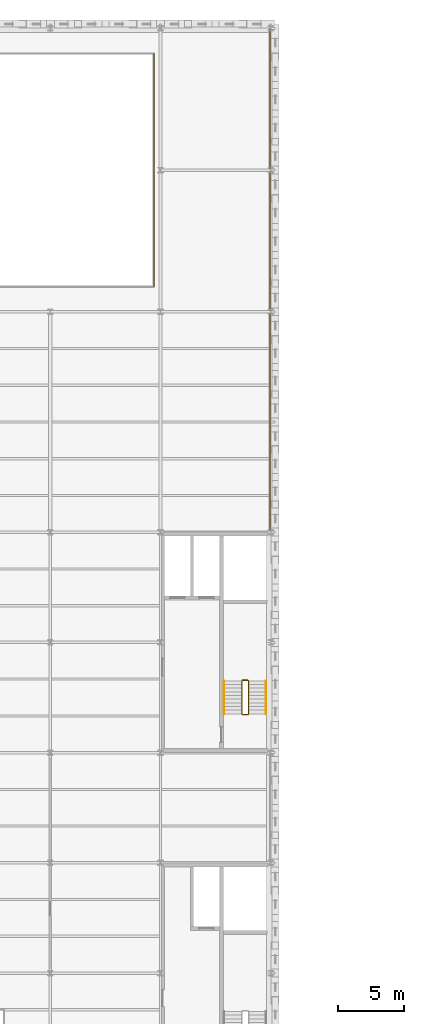
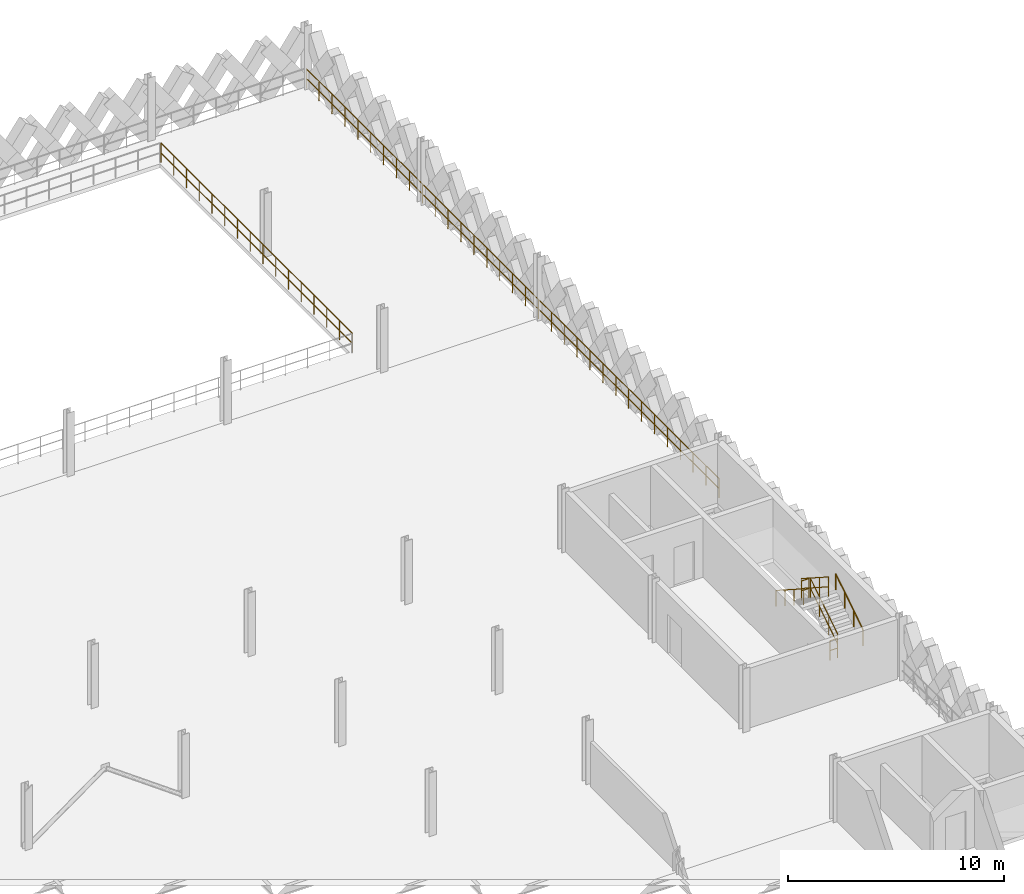
# One storey, part 77 of 79: 8 railings.
"""IFC4 building model written with IfcOpenShell, lengths in metres."""

from ifc_helpers import new_model, si_unit, direction, frame, origin, origin_2d, place, context, subcontext, project, spatial, circle, extrude, material, type_object, element, save


model = new_model("IFC4")

# Units and contexts
model_context = context("Model", 3, precision=1e-05, world=origin(), true_north=direction((0.0, 1.0)))
body_context = subcontext(model_context, "Body", "Model", "MODEL_VIEW")
ifc_project = project(units=[si_unit("LENGTHUNIT", "METRE"), si_unit("AREAUNIT", "SQUARE_METRE"), si_unit("VOLUMEUNIT", "CUBIC_METRE"), si_unit("PLANEANGLEUNIT", "RADIAN"), si_unit("MASSUNIT", "GRAM", prefix="KILO"), si_unit("THERMODYNAMICTEMPERATUREUNIT", "KELVIN"), si_unit("POWERUNIT", "WATT")], contexts=[model_context])

# Site, building, storey
site_placement = place(None, origin())
site = spatial("IfcSite", under=ifc_project, at=site_placement, CompositionType="ELEMENT")
building_placement = place(site_placement, origin())
building = spatial("IfcBuilding", under=site, at=building_placement, Name="Tembeka Court Mobility Hub", CompositionType="ELEMENT")
storey_placement = place(building_placement, frame((0.0, 0.0, 9.0)))
storey = spatial("IfcBuildingStorey", under=building, at=storey_placement, Name="L02", CompositionType="ELEMENT", Elevation=9.0)

# Railings
ifc_material_1 = material(Name="Painted galvanised steel balustrade", Category="steel")
railing_type_1 = type_object("IfcRailingType", Name="RL-GR01", PredefinedType="GUARDRAIL", material=ifc_material_1)
railing_1_placement = place(storey_placement, frame((83.5, 99.1298828125, 0.0)))
element("IfcRailing", 1, at=railing_1_placement, inside=storey, type_object=railing_type_1, Name="Perimeter guard GR01-0088", PredefinedType="GUARDRAIL", context=body_context, shape_type="SweptSolid", body=[
    extrude(circle(Radius=0.02392578125, at=origin_2d()), frame((0.0, 0.0, 1.09619140625), z_axis=(0.0, 1.0, 0.0), x_axis=(-1.0, 0.0, 0.0)), (0.0, 0.0, 1.0), 17.740234375),
    extrude(circle(Radius=0.02392578125, at=origin_2d()), frame((0.0, 0.0, 0.5361328125), z_axis=(0.0, 1.0, 0.0), x_axis=(-1.0, 0.0, 0.0)), (0.0, 0.0, 1.0), 17.740234375),
    extrude(circle(Radius=0.02099609375, at=origin_2d()), origin(), (0.0, 0.0, 1.0), 1.072021484375),
    extrude(circle(Radius=0.02099609375, at=origin_2d()), frame((0.0, 1.1826171875, 0.0)), (0.0, 0.0, 1.0), 1.072021484375),
    extrude(circle(Radius=0.02099609375, at=origin_2d()), frame((0.0, 2.365478515625, 0.0)), (0.0, 0.0, 1.0), 1.072021484375),
    extrude(circle(Radius=0.02099609375, at=origin_2d()), frame((0.0, 3.548095703125, 0.0)), (0.0, 0.0, 1.0), 1.072021484375),
    extrude(circle(Radius=0.02099609375, at=origin_2d()), frame((0.0, 4.730712890625, 0.0)), (0.0, 0.0, 1.0), 1.072021484375),
    extrude(circle(Radius=0.02099609375, at=origin_2d()), frame((0.0, 5.913330078125, 0.0)), (0.0, 0.0, 1.0), 1.072021484375),
    extrude(circle(Radius=0.02099609375, at=origin_2d()), frame((0.0, 7.09619140625, 0.0)), (0.0, 0.0, 1.0), 1.072021484375),
    extrude(circle(Radius=0.02099609375, at=origin_2d()), frame((0.0, 8.27880859375, 0.0)), (0.0, 0.0, 1.0), 1.072021484375),
    extrude(circle(Radius=0.02099609375, at=origin_2d()), frame((0.0, 9.46142578125, 0.0)), (0.0, 0.0, 1.0), 1.072021484375),
    extrude(circle(Radius=0.02099609375, at=origin_2d()), frame((0.0, 10.64404296875, 0.0)), (0.0, 0.0, 1.0), 1.072021484375),
    extrude(circle(Radius=0.02099609375, at=origin_2d()), frame((0.0, 11.826904296875, 0.0)), (0.0, 0.0, 1.0), 1.072021484375),
    extrude(circle(Radius=0.02099609375, at=origin_2d()), frame((0.0, 13.009521484375, 0.0)), (0.0, 0.0, 1.0), 1.072021484375),
    extrude(circle(Radius=0.02099609375, at=origin_2d()), frame((0.0, 14.192138671875, 0.0)), (0.0, 0.0, 1.0), 1.072021484375),
    extrude(circle(Radius=0.02099609375, at=origin_2d()), frame((0.0, 15.374755859375, 0.0)), (0.0, 0.0, 1.0), 1.072021484375),
    extrude(circle(Radius=0.02099609375, at=origin_2d()), frame((0.0, 16.5576171875, 0.0)), (0.0, 0.0, 1.0), 1.072021484375),
    extrude(circle(Radius=0.02099609375, at=origin_2d()), frame((0.0, 17.740234375, 0.0)), (0.0, 0.0, 1.0), 1.072021484375),
])
railing_2_placement = place(storey_placement, frame((90.699951171875, 66.550048828125, 0.179931640625)))
element("IfcRailing", 2, at=railing_2_placement, inside=storey, type_object=railing_type_1, Name="L02 ST02 stair guard 1-1", PredefinedType="GUARDRAIL", context=body_context, shape_type="SweptSolid", body=[
    extrude(circle(Radius=0.02392578125, at=origin_2d()), frame((0.0, 0.0, 1.09619140625), z_axis=(0.0, 0.841162588446, 0.540782303519), x_axis=(-1.0, 0.0, 0.0)), (0.0, 0.0, 1.0), 2.995849609375),
    extrude(circle(Radius=0.02392578125, at=origin_2d()), frame((0.0, 0.0, 0.5361328125), z_axis=(0.0, 0.841162588446, 0.540782303519), x_axis=(-1.0, 0.0, 0.0)), (0.0, 0.0, 1.0), 2.995849609375),
    extrude(circle(Radius=0.02099609375, at=origin_2d()), origin(), (0.0, 0.0, 1.0), 1.072021484375),
    extrude(circle(Radius=0.02099609375, at=origin_2d()), frame((0.0, 0.840087890625, 0.5400390625)), (0.0, 0.0, 1.0), 1.072021484375),
    extrude(circle(Radius=0.02099609375, at=origin_2d()), frame((0.0, 1.679931640625, 1.080078125)), (0.0, 0.0, 1.0), 1.072021484375),
    extrude(circle(Radius=0.02099609375, at=origin_2d()), frame((0.0, 2.52001953125, 1.6201171875)), (0.0, 0.0, 1.0), 1.072021484375),
])
railing_3_placement = place(storey_placement, frame((90.64990234375, 69.1201171875, 1.800048828125)))
element("IfcRailing", 3, at=railing_3_placement, inside=storey, type_object=railing_type_1, Name="L02 ST02 stair guard 2-1", PredefinedType="GUARDRAIL", context=body_context, shape_type="SweptSolid", body=[
    extrude(circle(Radius=0.02392578125, at=origin_2d()), frame((0.0, 0.0, 1.09619140625), z_axis=(-1.0, 0.0, 0.0), x_axis=(0.0, -1.0, 0.0)), (0.0, 0.0, 1.0), 0.39990234375),
    extrude(circle(Radius=0.02392578125, at=origin_2d()), frame((0.0, 0.0, 0.5361328125), z_axis=(-1.0, 0.0, 0.0), x_axis=(0.0, -1.0, 0.0)), (0.0, 0.0, 1.0), 0.39990234375),
    extrude(circle(Radius=0.02099609375, at=origin_2d()), origin(), (0.0, 0.0, 1.0), 1.072021484375),
    extrude(circle(Radius=0.02099609375, at=origin_2d()), frame((-0.39990234375, 0.0, 0.0)), (0.0, 0.0, 1.0), 1.072021484375),
])
railing_4_placement = place(storey_placement, frame((90.199951171875, 69.070068359375, 1.97998046875)))
element("IfcRailing", 4, at=railing_4_placement, inside=storey, type_object=railing_type_1, Name="L02 ST02 stair guard 3-1", PredefinedType="GUARDRAIL", context=body_context, shape_type="SweptSolid", body=[
    extrude(circle(Radius=0.02392578125, at=origin_2d()), frame((0.0, 0.0, 1.09619140625), z_axis=(0.0, -0.841162588446, 0.540782303519), x_axis=(1.0, 0.0, 0.0)), (0.0, 0.0, 1.0), 2.995849609375),
    extrude(circle(Radius=0.02392578125, at=origin_2d()), frame((0.0, 0.0, 0.5361328125), z_axis=(0.0, -0.841162588446, 0.540782303519), x_axis=(1.0, 0.0, 0.0)), (0.0, 0.0, 1.0), 2.995849609375),
    extrude(circle(Radius=0.02099609375, at=origin_2d()), origin(), (0.0, 0.0, 1.0), 1.072021484375),
    extrude(circle(Radius=0.02099609375, at=origin_2d()), frame((0.0, -0.840087890625, 0.5400390625)), (0.0, 0.0, 1.0), 1.072021484375),
    extrude(circle(Radius=0.02099609375, at=origin_2d()), frame((0.0, -1.679931640625, 1.080078125)), (0.0, 0.0, 1.0), 1.072021484375),
    extrude(circle(Radius=0.02099609375, at=origin_2d()), frame((0.0, -2.52001953125, 1.6201171875)), (0.0, 0.0, 1.0), 1.072021484375),
])
railing_5_placement = place(storey_placement, frame((90.64990234375, 66.5, 0.0)))
element("IfcRailing", 5, at=railing_5_placement, inside=storey, type_object=railing_type_1, Name="L02 ST02 stair guard 4-1", PredefinedType="GUARDRAIL", context=body_context, shape_type="SweptSolid", body=[
    extrude(circle(Radius=0.02392578125, at=origin_2d()), frame((0.0, 0.0, 1.09619140625), z_axis=(-1.0, 0.0, 0.0), x_axis=(0.0, -1.0, 0.0)), (0.0, 0.0, 1.0), 0.39990234375),
    extrude(circle(Radius=0.02392578125, at=origin_2d()), frame((0.0, 0.0, 0.5361328125), z_axis=(-1.0, 0.0, 0.0), x_axis=(0.0, -1.0, 0.0)), (0.0, 0.0, 1.0), 0.39990234375),
    extrude(circle(Radius=0.02099609375, at=origin_2d()), origin(), (0.0, 0.0, 1.0), 1.072021484375),
    extrude(circle(Radius=0.02099609375, at=origin_2d()), frame((-0.39990234375, 0.0, 0.0)), (0.0, 0.0, 1.0), 1.072021484375),
])
railing_type_2 = type_object("IfcRailingType", Name="RL-GR02", PredefinedType="GUARDRAIL", material=ifc_material_1)
railing_6_placement = place(storey_placement, frame((92.35009765625, 80.429931640625, 0.0)))
element("IfcRailing", 6, at=railing_6_placement, inside=storey, type_object=railing_type_2, Name="Perimeter guard GR02-0098", PredefinedType="GUARDRAIL", context=body_context, shape_type="SweptSolid", body=[
    extrude(circle(Radius=0.02392578125, at=origin_2d()), frame((0.0, 0.0, 1.09619140625), z_axis=(0.0, 1.0, 0.0), x_axis=(-1.0, 0.0, 0.0)), (0.0, 0.0, 1.0), 38.2900390625),
    extrude(circle(Radius=0.02392578125, at=origin_2d()), frame((0.0, 0.0, 0.5361328125), z_axis=(0.0, 1.0, 0.0), x_axis=(-1.0, 0.0, 0.0)), (0.0, 0.0, 1.0), 38.2900390625),
    extrude(circle(Radius=0.02099609375, at=origin_2d()), origin(), (0.0, 0.0, 1.0), 1.072021484375),
    extrude(circle(Radius=0.02099609375, at=origin_2d()), frame((0.0, 1.196533203125, 0.0)), (0.0, 0.0, 1.0), 1.072021484375),
    extrude(circle(Radius=0.02099609375, at=origin_2d()), frame((0.0, 2.39306640625, 0.0)), (0.0, 0.0, 1.0), 1.072021484375),
    extrude(circle(Radius=0.02099609375, at=origin_2d()), frame((0.0, 3.589599609375, 0.0)), (0.0, 0.0, 1.0), 1.072021484375),
    extrude(circle(Radius=0.02099609375, at=origin_2d()), frame((0.0, 4.7861328125, 0.0)), (0.0, 0.0, 1.0), 1.072021484375),
    extrude(circle(Radius=0.02099609375, at=origin_2d()), frame((0.0, 5.98291015625, 0.0)), (0.0, 0.0, 1.0), 1.072021484375),
    extrude(circle(Radius=0.02099609375, at=origin_2d()), frame((0.0, 7.179443359375, 0.0)), (0.0, 0.0, 1.0), 1.072021484375),
    extrude(circle(Radius=0.02099609375, at=origin_2d()), frame((0.0, 8.3759765625, 0.0)), (0.0, 0.0, 1.0), 1.072021484375),
    extrude(circle(Radius=0.02099609375, at=origin_2d()), frame((0.0, 9.572509765625, 0.0)), (0.0, 0.0, 1.0), 1.072021484375),
    extrude(circle(Radius=0.02099609375, at=origin_2d()), frame((0.0, 10.76904296875, 0.0)), (0.0, 0.0, 1.0), 1.072021484375),
    extrude(circle(Radius=0.02099609375, at=origin_2d()), frame((0.0, 11.965576171875, 0.0)), (0.0, 0.0, 1.0), 1.072021484375),
    extrude(circle(Radius=0.02099609375, at=origin_2d()), frame((0.0, 13.162109375, 0.0)), (0.0, 0.0, 1.0), 1.072021484375),
    extrude(circle(Radius=0.02099609375, at=origin_2d()), frame((0.0, 14.35888671875, 0.0)), (0.0, 0.0, 1.0), 1.072021484375),
    extrude(circle(Radius=0.02099609375, at=origin_2d()), frame((0.0, 15.555419921875, 0.0)), (0.0, 0.0, 1.0), 1.072021484375),
    extrude(circle(Radius=0.02099609375, at=origin_2d()), frame((0.0, 16.751953125, 0.0)), (0.0, 0.0, 1.0), 1.072021484375),
    extrude(circle(Radius=0.02099609375, at=origin_2d()), frame((0.0, 17.948486328125, 0.0)), (0.0, 0.0, 1.0), 1.072021484375),
    extrude(circle(Radius=0.02099609375, at=origin_2d()), frame((0.0, 19.14501953125, 0.0)), (0.0, 0.0, 1.0), 1.072021484375),
    extrude(circle(Radius=0.02099609375, at=origin_2d()), frame((0.0, 20.341552734375, 0.0)), (0.0, 0.0, 1.0), 1.072021484375),
    extrude(circle(Radius=0.02099609375, at=origin_2d()), frame((0.0, 21.5380859375, 0.0)), (0.0, 0.0, 1.0), 1.072021484375),
    extrude(circle(Radius=0.02099609375, at=origin_2d()), frame((0.0, 22.734619140625, 0.0)), (0.0, 0.0, 1.0), 1.072021484375),
    extrude(circle(Radius=0.02099609375, at=origin_2d()), frame((0.0, 23.93115234375, 0.0)), (0.0, 0.0, 1.0), 1.072021484375),
    extrude(circle(Radius=0.02099609375, at=origin_2d()), frame((0.0, 25.1279296875, 0.0)), (0.0, 0.0, 1.0), 1.072021484375),
    extrude(circle(Radius=0.02099609375, at=origin_2d()), frame((0.0, 26.324462890625, 0.0)), (0.0, 0.0, 1.0), 1.072021484375),
    extrude(circle(Radius=0.02099609375, at=origin_2d()), frame((0.0, 27.52099609375, 0.0)), (0.0, 0.0, 1.0), 1.072021484375),
    extrude(circle(Radius=0.02099609375, at=origin_2d()), frame((0.0, 28.717529296875, 0.0)), (0.0, 0.0, 1.0), 1.072021484375),
    extrude(circle(Radius=0.02099609375, at=origin_2d()), frame((0.0, 29.9140625, 0.0)), (0.0, 0.0, 1.0), 1.072021484375),
    extrude(circle(Radius=0.02099609375, at=origin_2d()), frame((0.0, 31.110595703125, 0.0)), (0.0, 0.0, 1.0), 1.072021484375),
    extrude(circle(Radius=0.02099609375, at=origin_2d()), frame((0.0, 32.30712890625, 0.0)), (0.0, 0.0, 1.0), 1.072021484375),
    extrude(circle(Radius=0.02099609375, at=origin_2d()), frame((0.0, 33.50390625, 0.0)), (0.0, 0.0, 1.0), 1.072021484375),
    extrude(circle(Radius=0.02099609375, at=origin_2d()), frame((0.0, 34.700439453125, 0.0)), (0.0, 0.0, 1.0), 1.072021484375),
    extrude(circle(Radius=0.02099609375, at=origin_2d()), frame((0.0, 35.89697265625, 0.0)), (0.0, 0.0, 1.0), 1.072021484375),
    extrude(circle(Radius=0.02099609375, at=origin_2d()), frame((0.0, 37.093505859375, 0.0)), (0.0, 0.0, 1.0), 1.072021484375),
    extrude(circle(Radius=0.02099609375, at=origin_2d()), frame((0.0, 38.2900390625, 0.0)), (0.0, 0.0, 1.0), 1.072021484375),
])
ifc_material_2 = material(Name="Brushed stainless steel handrail", Category="steel")
railing_type_3 = type_object("IfcRailingType", Name="RL-HR01", PredefinedType="HANDRAIL", material=ifc_material_2)
railing_7_placement = place(storey_placement, frame((92.050048828125, 66.550048828125, 0.179931640625)))
element("IfcRailing", 7, at=railing_7_placement, inside=storey, type_object=railing_type_3, Name="L02 ST02 handrail 1-1", PredefinedType="HANDRAIL", context=body_context, shape_type="SweptSolid", body=[
    extrude(circle(Radius=0.02392578125, at=origin_2d()), frame((0.0, 0.0, 0.89599609375), z_axis=(0.0, 0.841162588446, 0.540782303519), x_axis=(-1.0, 0.0, 0.0)), (0.0, 0.0, 1.0), 2.995849609375),
    extrude(circle(Radius=0.02099609375, at=origin_2d()), origin(), (0.0, 0.0, 1.0), 0.871826171875),
    extrude(circle(Radius=0.02099609375, at=origin_2d()), frame((0.0, 0.840087890625, 0.5400390625)), (0.0, 0.0, 1.0), 0.871826171875),
    extrude(circle(Radius=0.02099609375, at=origin_2d()), frame((0.0, 1.679931640625, 1.080078125)), (0.0, 0.0, 1.0), 0.871826171875),
    extrude(circle(Radius=0.02099609375, at=origin_2d()), frame((0.0, 2.52001953125, 1.6201171875)), (0.0, 0.0, 1.0), 0.871826171875),
])
railing_8_placement = place(storey_placement, frame((88.85009765625, 69.070068359375, 1.97998046875)))
element("IfcRailing", 8, at=railing_8_placement, inside=storey, type_object=railing_type_3, Name="L02 ST02 handrail 2-1", PredefinedType="HANDRAIL", context=body_context, shape_type="SweptSolid", body=[
    extrude(circle(Radius=0.02392578125, at=origin_2d()), frame((0.0, 0.0, 0.89599609375), z_axis=(0.0, -0.841162588446, 0.540782303519), x_axis=(1.0, 0.0, 0.0)), (0.0, 0.0, 1.0), 2.995849609375),
    extrude(circle(Radius=0.02099609375, at=origin_2d()), origin(), (0.0, 0.0, 1.0), 0.871826171875),
    extrude(circle(Radius=0.02099609375, at=origin_2d()), frame((0.0, -0.840087890625, 0.5400390625)), (0.0, 0.0, 1.0), 0.871826171875),
    extrude(circle(Radius=0.02099609375, at=origin_2d()), frame((0.0, -1.679931640625, 1.080078125)), (0.0, 0.0, 1.0), 0.871826171875),
    extrude(circle(Radius=0.02099609375, at=origin_2d()), frame((0.0, -2.52001953125, 1.6201171875)), (0.0, 0.0, 1.0), 0.871826171875),
])

save(model, "model.ifc")
